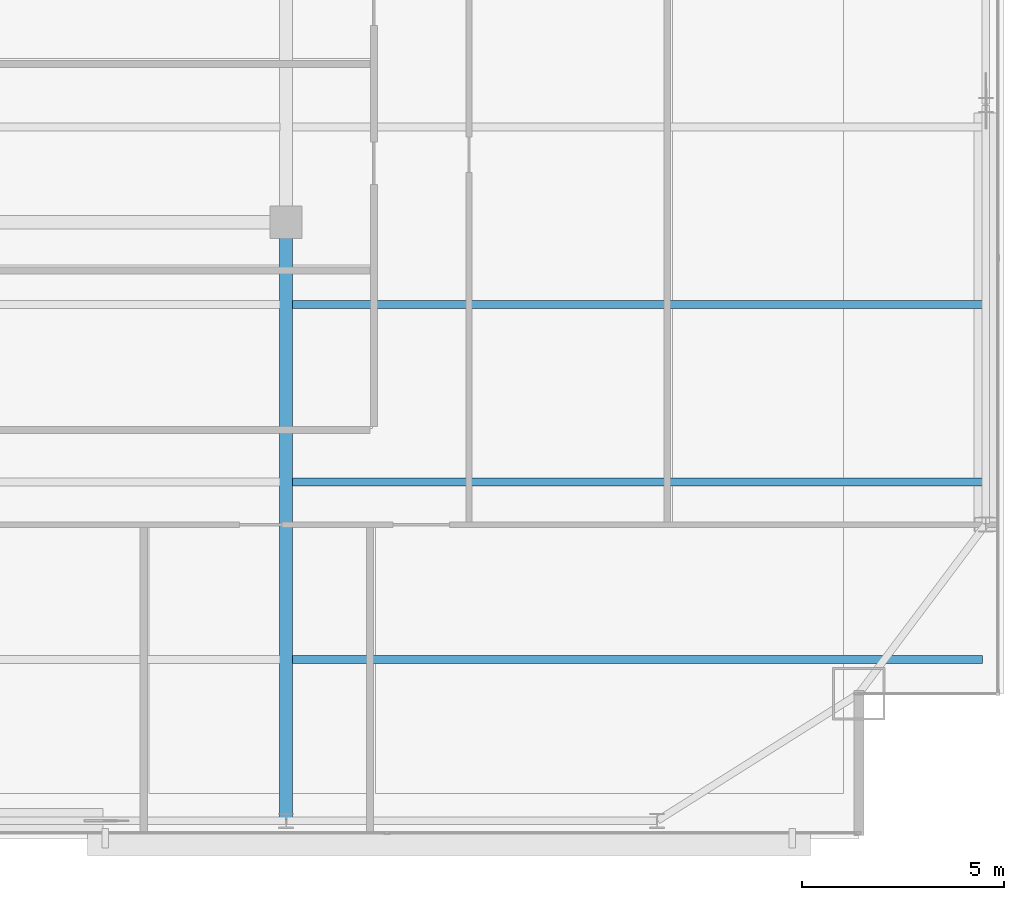
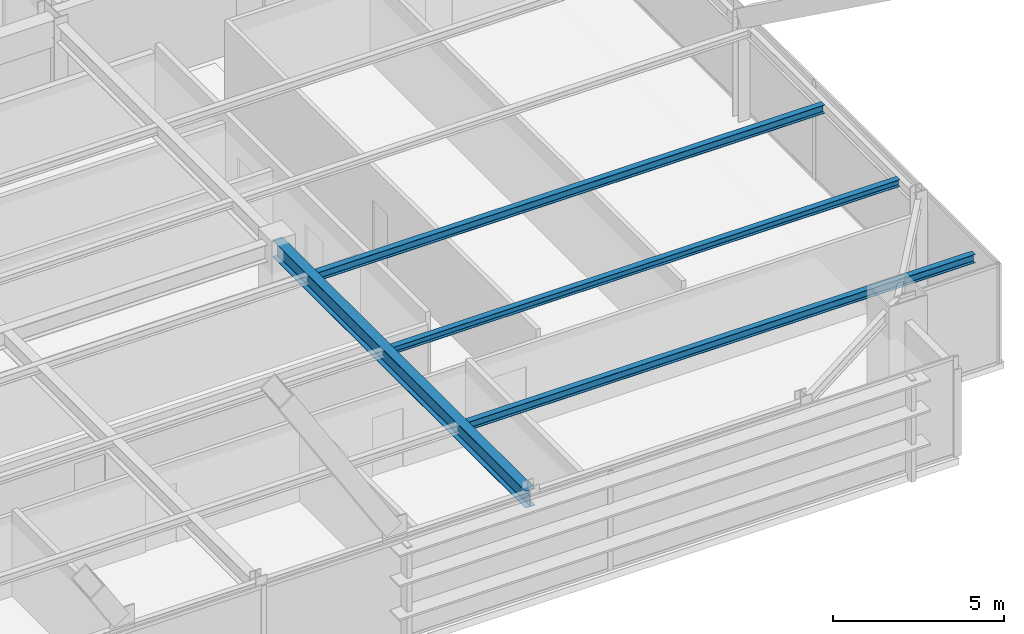
# One storey, part 14 of 30: 4 beams.
"""IFC4 building model written with IfcOpenShell, lengths in metres."""

from ifc_helpers import new_model, si_unit, direction, frame, origin, origin_2d, place, context, subcontext, project, spatial, i_section, extrude, source, transform, mapped, material, material_profile, profile_set, type_object, type_shapes, element, save


model = new_model("IFC4")

# Units and contexts
model_context = context("Model", 3, precision=1e-05, world=origin(), true_north=direction((0.0, 1.0)))
body_context = subcontext(model_context, "Body", "Model", "MODEL_VIEW")
ifc_project = project(units=[si_unit("LENGTHUNIT", "METRE"), si_unit("AREAUNIT", "SQUARE_METRE"), si_unit("VOLUMEUNIT", "CUBIC_METRE"), si_unit("PLANEANGLEUNIT", "RADIAN"), si_unit("MASSUNIT", "GRAM", prefix="KILO")], contexts=[model_context])

# Site, building, storey
site_placement = place(None, origin())
site = spatial("IfcSite", under=ifc_project, at=site_placement, CompositionType="ELEMENT")
building_placement = place(site_placement, origin())
building = spatial("IfcBuilding", under=site, at=building_placement, Name="Varnel Quay Broadcast Tower", CompositionType="ELEMENT")
storey_placement = place(building_placement, frame((0.0, 0.0, 180.0)))
storey = spatial("IfcBuildingStorey", under=building, at=storey_placement, Name="L44", CompositionType="ELEMENT", Elevation=180.0)

# Beams
ifc_material = material(Name="Structural Steel CSA G40.21 350W", Category="steel")
ifc_material_profile_1 = material_profile(ifc_material, i_section(OverallWidth=0.324951171875, OverallDepth=0.615966796875, WebThickness=0.013916015625, FlangeThickness=0.021484375, FilletRadius=0.01611328125, at=origin_2d()), Name="W610X174")
ifc_profile_set_1 = profile_set([ifc_material_profile_1], Name="Structural Steel CSA G40.21 350W")
beam_type_1 = type_object("IfcBeamType", Name="Girder_W610X174", PredefinedType="BEAM", material=ifc_profile_set_1)
shared_shape_1 = source(origin(), body_context, "Body", "SweptSolid", [
    extrude(i_section(OverallWidth=0.324951171875, OverallDepth=0.615966796875, WebThickness=0.013916015625, FlangeThickness=0.021484375, FilletRadius=0.01611328125, at=origin_2d()), origin(), (0.0, 0.0, 1.0), 14.800048828125),
])
type_shapes(beam_type_1, [shared_shape_1])
beam_1_placement = place(storey_placement, frame((43.199951171875, 7.669921875, 3.241943359375), z_axis=(0.0, 1.0, 0.0), x_axis=(-1.0, 0.0, 0.0)))
element("IfcBeam", 1, at=beam_1_placement, inside=storey, type_object=beam_type_1, Name="L44 Primary Girder TC-S4-IC-02", PredefinedType="BEAM", context=body_context, shape_type="MappedRepresentation", body=[
    mapped(shared_shape_1, transform((0.0, 0.0, 0.0), x_axis=(1.0, 0.0, 0.0), y_axis=(0.0, 1.0, 0.0), z_axis=(0.0, 0.0, 1.0), scale=1.0)),
])
ifc_material_profile_2 = material_profile(ifc_material, i_section(OverallWidth=0.202880859375, OverallDepth=0.302978515625, WebThickness=0.007568359375, FlangeThickness=0.01318359375, FilletRadius=0.011962890625, at=origin_2d()), Name="W310X60")
ifc_profile_set_2 = profile_set([ifc_material_profile_2], Name="Structural Steel CSA G40.21 350W")
beam_type_2 = type_object("IfcBeamType", Name="Beam_W310X60", PredefinedType="JOIST", material=ifc_profile_set_2)
shared_shape_2 = source(origin(), body_context, "Body", "SweptSolid", [
    extrude(i_section(OverallWidth=0.202880859375, OverallDepth=0.302978515625, WebThickness=0.007568359375, FlangeThickness=0.01318359375, FilletRadius=0.011962890625, at=origin_2d()), origin(), (0.0, 0.0, 1.0), 17.107177734375),
])
type_shapes(beam_type_2, [shared_shape_2])
for number, where, z_axis, x_axis, name in (
    (2, (43.357421875, 11.64990234375, 3.3984375), (1.0, 0.0, 0.0), (0.0, 1.0, 0.0), "L44 East Floor Joist 1"),
    (3, (43.357421875, 20.449951171875, 3.3984375), (1.0, 0.0, 0.0), (0.0, 1.0, 0.0), "L44 East Floor Joist 3"),
):
    element("IfcBeam", number, at=place(storey_placement, frame(where, z_axis=z_axis, x_axis=x_axis)), inside=storey, type_object=beam_type_2, Name=name, PredefinedType="JOIST", context=body_context, shape_type="MappedRepresentation", body=[
        mapped(shared_shape_2, transform((0.0, 0.0, 0.0), x_axis=(1.0, 0.0, 0.0), y_axis=(0.0, 1.0, 0.0), z_axis=(0.0, 0.0, 1.0), scale=1.0)),
    ])
ifc_material_profile_3 = material_profile(ifc_material, i_section(OverallWidth=0.201904296875, OverallDepth=0.2470703125, WebThickness=0.00732421875, FlangeThickness=0.010986328125, FilletRadius=0.010986328125, at=origin_2d()), Name="W250X49")
ifc_profile_set_3 = profile_set([ifc_material_profile_3], Name="Structural Steel CSA G40.21 350W")
beam_type_3 = type_object("IfcBeamType", Name="Beam_W250X49", PredefinedType="JOIST", material=ifc_profile_set_3)
shared_shape_3 = source(origin(), body_context, "Body", "SweptSolid", [
    extrude(i_section(OverallWidth=0.201904296875, OverallDepth=0.2470703125, WebThickness=0.00732421875, FlangeThickness=0.010986328125, FilletRadius=0.010986328125, at=origin_2d()), origin(), (0.0, 0.0, 1.0), 17.107177734375),
])
type_shapes(beam_type_3, [shared_shape_3])
beam_2_placement = place(storey_placement, frame((43.357421875, 16.050048828125, 3.426513671875), z_axis=(1.0, 0.0, 0.0), x_axis=(0.0, 1.0, 0.0)))
element("IfcBeam", 4, at=beam_2_placement, inside=storey, type_object=beam_type_3, Name="L44 East Floor Joist 2", PredefinedType="JOIST", context=body_context, shape_type="MappedRepresentation", body=[
    mapped(shared_shape_3, transform((0.0, 0.0, 0.0), x_axis=(1.0, 0.0, 0.0), y_axis=(0.0, 1.0, 0.0), z_axis=(0.0, 0.0, 1.0), scale=1.0)),
])

save(model, "model.ifc")
